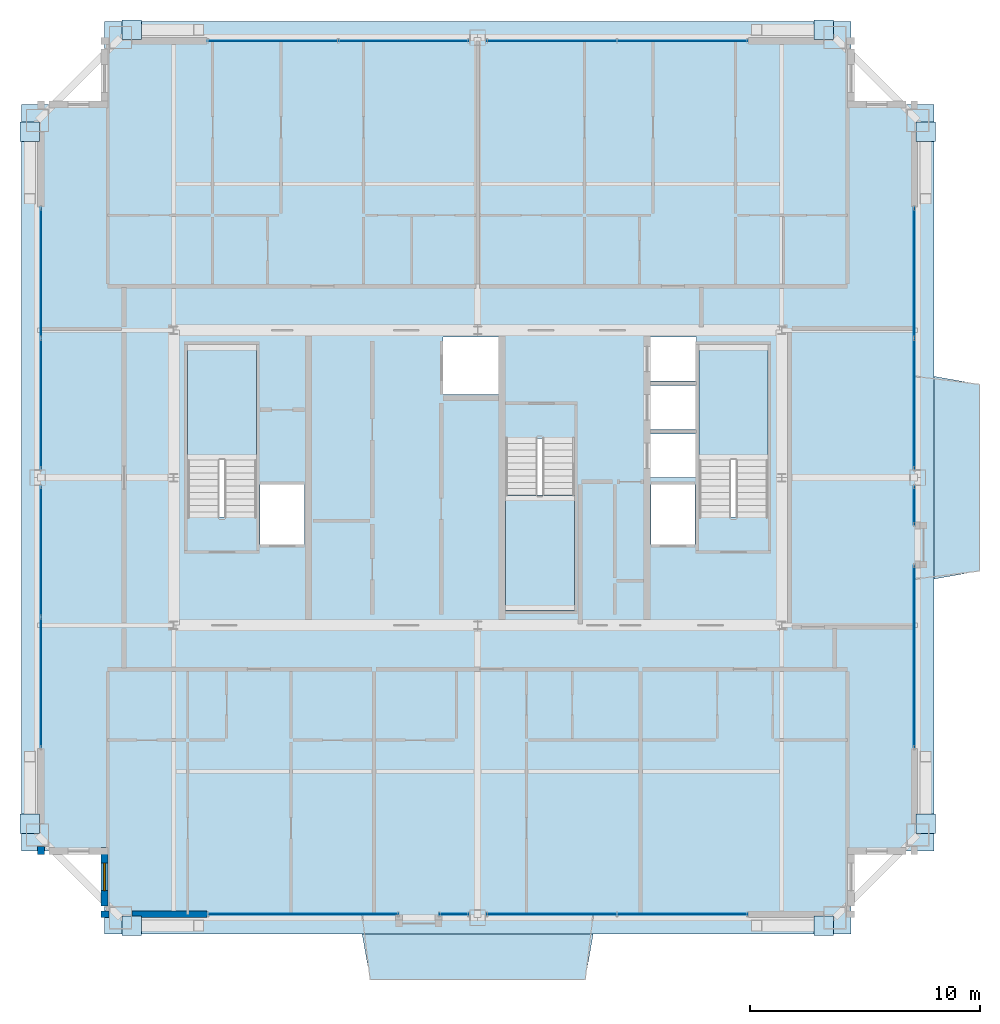
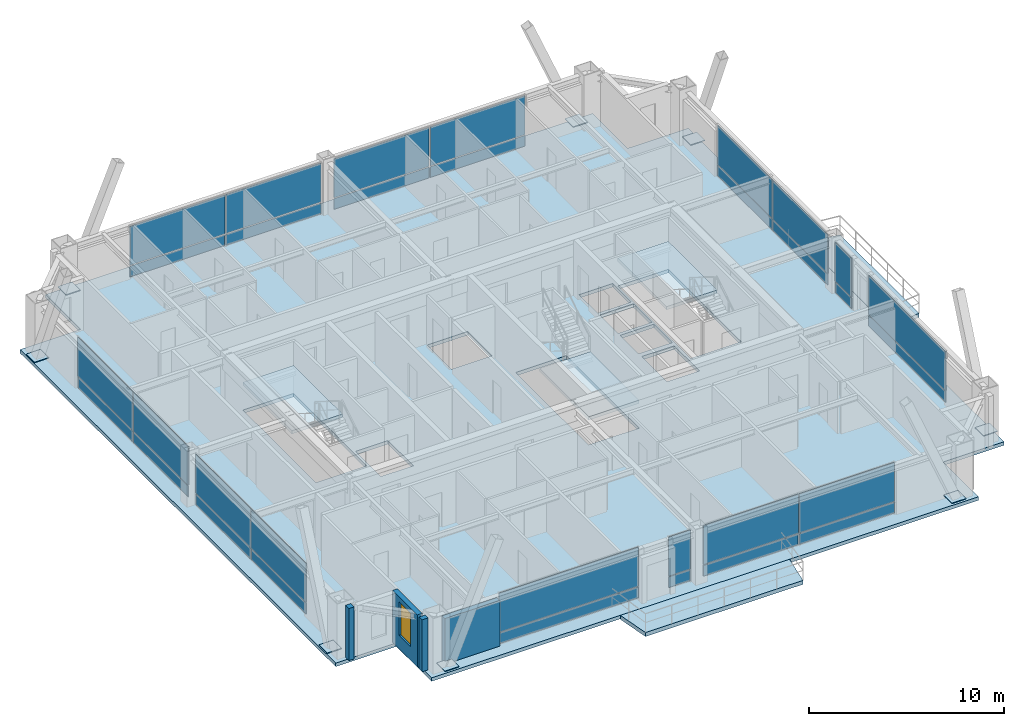
# One storey, part 29 of 35: 40 plates, 6 slabs, 4 walls, 1 window, 1 opening, 13 elements without a shape of their own.
"""IFC4 building model written with IfcOpenShell, lengths in metres."""

from ifc_helpers import new_model, si_unit, direction, frame, frame_2d, origin, origin_2d, place, context, subcontext, project, spatial, polyline, rectangle, outline, extrude, source, transform, mapped, material, layer, layer_set, type_object, element, fill, aggregate, save


model = new_model("IFC4")

# Units and contexts
model_context = context("Model", 3, precision=1e-05, world=origin(), true_north=direction((0.0, 1.0)))
body_context = subcontext(model_context, "Body", "Model", "MODEL_VIEW")
ifc_project = project(units=[si_unit("LENGTHUNIT", "METRE"), si_unit("AREAUNIT", "SQUARE_METRE"), si_unit("VOLUMEUNIT", "CUBIC_METRE"), si_unit("PLANEANGLEUNIT", "RADIAN"), si_unit("MASSUNIT", "GRAM", prefix="KILO"), si_unit("THERMODYNAMICTEMPERATUREUNIT", "KELVIN"), si_unit("POWERUNIT", "WATT")], contexts=[model_context])

# Site, building, storey
site_placement = place(None, origin())
site = spatial("IfcSite", under=ifc_project, at=site_placement, CompositionType="ELEMENT")
building_placement = place(site_placement, origin())
building = spatial("IfcBuilding", under=site, at=building_placement, Name="Yuzanri Waterfront Tower", CompositionType="ELEMENT")
storey_placement = place(building_placement, frame((0.0, 0.0, 335.699951171875)))
storey = spatial("IfcBuildingStorey", under=building, at=storey_placement, Name="L90", CompositionType="ELEMENT", Elevation=335.699951171875)

# Stair, slab
ifc_material_1 = material(Name="Concrete C40", Category="concrete")
stair_type = type_object("IfcStairType", Name="Concrete C40 Core Dogleg Exit Stair", PredefinedType="HALF_TURN_STAIR", material=ifc_material_1)
stair_1_placement = place(storey_placement, origin())
stair_1 = element("IfcStair", 1, at=stair_1_placement, inside=storey, type_object=stair_type, Name="L90 Smoke-Proof Core Stair ST-01", PredefinedType="HALF_TURN_STAIR")
ifc_material_2 = material(Name="Concrete C40", Category="concrete")
ifc_layer_1 = layer(ifc_material_2, 0.179931640625)
ifc_layer_set_1 = layer_set([ifc_layer_1], Name="Concrete C40")
slab_type_1 = type_object("IfcSlabType", Name="Concrete C40 Stair Half-Landing Slab 180", PredefinedType="LANDING", material=ifc_layer_set_1)
slab_1_placement = place(storey_placement, frame((0.0, 0.0, 1.550048828125)))
slab_1 = element("IfcSlab", 2, at=slab_1_placement, type_object=slab_type_1, Name="ST-01 landing 1", PredefinedType="LANDING", context=body_context, shape_type="SweptSolid", body=[
    extrude(outline(polyline([(27.39990234375, 26.56005859375), (27.39990234375, 31.580078125), (24.39990234375, 31.580078125), (24.39990234375, 26.56005859375), (27.39990234375, 26.56005859375)])), origin(), (0.0, 0.0, 1.0), 0.199951171875),
])
aggregate(stair_1, [slab_1])

stair_2_placement = place(storey_placement, origin())
stair_2 = element("IfcStair", 3, at=stair_2_placement, inside=storey, type_object=stair_type, Name="L90 Smoke-Proof Core Stair ST-02", PredefinedType="HALF_TURN_STAIR")
slab_2_placement = place(storey_placement, frame((0.0, 0.0, 1.550048828125)))
slab_2 = element("IfcSlab", 4, at=slab_2_placement, type_object=slab_type_1, Name="ST-02 landing 1", PredefinedType="LANDING", context=body_context, shape_type="SweptSolid", body=[
    extrude(outline(polyline([(49.60009765625, 26.56005859375), (49.60009765625, 31.580078125), (46.60009765625, 31.580078125), (46.60009765625, 26.56005859375), (49.60009765625, 26.56005859375)])), origin(), (0.0, 0.0, 1.0), 0.199951171875),
])
aggregate(stair_2, [slab_2])

stair_3_placement = place(storey_placement, origin())
stair_3 = element("IfcStair", 5, at=stair_3_placement, inside=storey, type_object=stair_type, Name="L90 Smoke-Proof Core Stair ST-03", PredefinedType="HALF_TURN_STAIR")
slab_3_placement = place(storey_placement, frame((0.0, 0.0, 1.550048828125)))
slab_3 = element("IfcSlab", 6, at=slab_3_placement, type_object=slab_type_1, Name="ST-03 landing 1", PredefinedType="LANDING", context=body_context, shape_type="SweptSolid", body=[
    extrude(outline(polyline([(38.199951171875, 25.0400390625), (38.199951171875, 20.02001953125), (41.199951171875, 20.02001953125), (41.199951171875, 25.0400390625), (38.199951171875, 25.0400390625)])), origin(), (0.0, 0.0, 1.0), 0.199951171875),
])
aggregate(stair_3, [slab_3])

# Slabs
ifc_material_3 = material(Name="Concrete C40", Category="concrete")
ifc_layer_2 = layer(ifc_material_3, 0.25)
ifc_layer_set_2 = layer_set([ifc_layer_2], Name="Concrete C40")
slab_type_2 = type_object("IfcSlabType", Name="Concrete C40 Stepped Gorge Pocket Garden Terrace Slab 250", PredefinedType="FLOOR", material=ifc_layer_set_2)
slab_4_placement = place(storey_placement, frame((0.0, 0.0, -0.25)))
element("IfcSlab", 7, at=slab_4_placement, inside=storey, type_object=slab_type_2, Name="L90 S Cantilevered Engawa Terrace Slab", PredefinedType="FLOOR", context=body_context, shape_type="SweptSolid", body=[
    extrude(outline(polyline([(31.98388671875, 6.0), (42.01611328125, 6.0), (41.666015625, 4.02294921875), (32.333984375, 4.02294921875), (31.98388671875, 6.0)])), origin(), (0.0, 0.0, 1.0), 0.25),
])
slab_5_placement = place(storey_placement, frame((0.0, 0.0, -0.25)))
element("IfcSlab", 8, at=slab_5_placement, inside=storey, type_object=slab_type_2, Name="L90 E Cantilevered Engawa Terrace Slab", PredefinedType="FLOOR", context=body_context, shape_type="SweptSolid", body=[
    extrude(outline(polyline([(56.800048828125, 21.39990234375), (58.777099609375, 21.75), (58.777099609375, 29.85009765625), (56.800048828125, 30.199951171875), (56.800048828125, 21.39990234375)])), origin(), (0.0, 0.0, 1.0), 0.25),
])
ifc_material_4 = material(Name="Concrete C40", Category="concrete")
ifc_layer_3 = layer(ifc_material_4, 0.219970703125)
ifc_layer_set_3 = layer_set([ifc_layer_3], Name="Concrete C40")
slab_type_3 = type_object("IfcSlabType", Name="Concrete C40 Tower Typical Structural Floor Slab 220", PredefinedType="FLOOR", material=ifc_layer_set_3)
slab_6_placement = place(storey_placement, frame((0.0, 0.0, -0.219970703125)))
element("IfcSlab", 9, at=slab_6_placement, inside=storey, type_object=slab_type_3, Name="L90 Main Structural Floor Slab", PredefinedType="FLOOR", context=body_context, shape_type="SweptSolid", body=[
    extrude(outline(polyline([(20.800048828125, 6.0), (53.199951171875, 6.0), (53.199951171875, 9.60009765625), (56.800048828125, 9.60009765625), (56.800048828125, 42.0), (53.199951171875, 42.0), (53.199951171875, 45.60009765625), (20.800048828125, 45.60009765625), (20.800048828125, 42.0), (17.199951171875, 42.0), (17.199951171875, 9.60009765625), (20.800048828125, 9.60009765625), (20.800048828125, 6.0)]), holes=[polyline([(27.39990234375, 24.10009765625), (27.39990234375, 31.580078125), (24.39990234375, 31.580078125), (24.39990234375, 24.10009765625), (27.39990234375, 24.10009765625)]), polyline([(49.60009765625, 24.10009765625), (49.60009765625, 31.580078125), (46.60009765625, 31.580078125), (46.60009765625, 24.10009765625), (49.60009765625, 24.10009765625)]), polyline([(38.199951171875, 27.5), (38.199951171875, 20.02001953125), (41.199951171875, 20.02001953125), (41.199951171875, 27.5), (38.199951171875, 27.5)]), polyline([(27.56005859375, 22.89990234375), (29.47998046875, 22.89990234375), (29.47998046875, 25.5), (27.56005859375, 25.5), (27.56005859375, 22.89990234375)]), polyline([(44.52001953125, 22.89990234375), (46.43994140625, 22.89990234375), (46.43994140625, 25.5), (44.52001953125, 25.5), (44.52001953125, 22.89990234375)]), polyline([(35.5, 29.39990234375), (37.89990234375, 29.39990234375), (37.89990234375, 31.89990234375), (35.5, 31.89990234375), (35.5, 29.39990234375)]), polyline([(44.5, 25.800048828125), (46.5, 25.800048828125), (46.5, 27.699951171875), (44.5, 27.699951171875), (44.5, 25.800048828125)]), polyline([(44.5, 27.89990234375), (46.5, 27.89990234375), (46.5, 29.800048828125), (44.5, 29.800048828125), (44.5, 27.89990234375)]), polyline([(44.5, 30.0), (46.5, 30.0), (46.5, 31.89990234375), (44.5, 31.89990234375), (44.5, 30.0)])]), origin(), (0.0, 0.0, 1.0), 0.219970703125),
])

# Plates
ifc_material_5 = material(Name="Steel Q420GJC", Category="steel")
ifc_layer_4 = layer(ifc_material_5, 0.0400390625)
ifc_layer_set_4 = layer_set([ifc_layer_4], Name="Steel Q420GJC")
plate_type_1 = type_object("IfcPlateType", Name="Steel Q420GJC Mega-Brace Gusset and End-Cap Plate 40", PredefinedType="SHEET", material=ifc_layer_set_4)
shared_shape_1 = source(origin(), body_context, "Body", "SweptSolid", [
    extrude(rectangle(XDim=0.85009765625, YDim=0.85009765625, at=origin_2d()), origin(), (0.0, 0.0, 1.0), 0.0400390625),
])
for number, where, z_axis, x_axis, name in (
    (10, (21.97998046875, 6.360107421875, 0.159912109375), (0.0, 0.0, 1.0), (1.0, 0.0, 0.0), "L90 Mega-Brace Foot Cap Plate S-L"),
    (11, (52.02001953125, 6.360107421875, 0.159912109375), (0.0, 0.0, 1.0), (1.0, 0.0, 0.0), "L90 Mega-Brace Foot Cap Plate S-R"),
    (12, (21.97998046875, 45.239990234375, 0.159912109375), (0.0, 0.0, 1.0), (1.0, 0.0, 0.0), "L90 Mega-Brace Foot Cap Plate N-L"),
    (13, (52.02001953125, 45.239990234375, 0.159912109375), (0.0, 0.0, 1.0), (1.0, 0.0, 0.0), "L90 Mega-Brace Foot Cap Plate N-R"),
    (14, (17.56005859375, 10.780029296875, 0.159912109375), (0.0, 0.0, 1.0), (1.0, 0.0, 0.0), "L90 Mega-Brace Foot Cap Plate W-L"),
    (15, (17.56005859375, 40.820068359375, 0.159912109375), (0.0, 0.0, 1.0), (1.0, 0.0, 0.0), "L90 Mega-Brace Foot Cap Plate W-R"),
    (16, (56.43994140625, 10.780029296875, 0.159912109375), (0.0, 0.0, 1.0), (1.0, 0.0, 0.0), "L90 Mega-Brace Foot Cap Plate E-L"),
    (17, (56.43994140625, 40.820068359375, 0.159912109375), (0.0, 0.0, 1.0), (1.0, 0.0, 0.0), "L90 Mega-Brace Foot Cap Plate E-R"),
):
    element("IfcPlate", number, at=place(storey_placement, frame(where, z_axis=z_axis, x_axis=x_axis)), inside=storey, type_object=plate_type_1, Name=name, PredefinedType="SHEET", context=body_context, shape_type="MappedRepresentation", body=[
        mapped(shared_shape_1, transform((0.0, 0.0, 0.0), scale=1.0)),
    ])

# Curtain wall, plates
ifc_material_6 = material(Name="Anodized Architectural Bronze", Category="metal")
ifc_layer_5 = layer(ifc_material_6, 0.159912109375)
ifc_layer_set_5 = layer_set([ifc_layer_5], Name="Anodized Architectural Bronze")
curtain_wall_type = type_object("IfcCurtainWallType", Name="Anodized Bronze High-Rise Penthouse High-Wind Unitized Curtain Wall 6900", PredefinedType="NOTDEFINED", material=ifc_layer_set_5)
curtain_wall_1_placement = place(storey_placement, origin())
curtain_wall_1 = element("IfcCurtainWall", 18, at=curtain_wall_1_placement, inside=storey, type_object=curtain_wall_type, Name="L90 Curtain Wall CW-L90-SL1", PredefinedType="NOTDEFINED")
ifc_material_7 = material(Name="Anodized Architectural Bronze", Category="metal")
ifc_layer_6 = layer(ifc_material_7, 0.028076171875)
ifc_layer_set_6 = layer_set([ifc_layer_6], Name="Anodized Architectural Bronze")
plate_type_2 = type_object("IfcPlateType", Name="Bronze Insulated Spandrel Shadow-Box Panel 28", PredefinedType="CURTAIN_PANEL", material=ifc_layer_set_6)
shared_shape_2 = source(origin(), body_context, "Body", "SweptSolid", [
    extrude(rectangle(XDim=8.261962890625, YDim=0.028076171875, at=origin_2d()), origin(), (0.0, 0.0, 1.0), 0.669921875),
])
plate_1_placement = place(storey_placement, frame((29.4208984375, 6.85009765625, 0.050048828125), z_axis=(0.0, 0.0, 1.0), x_axis=(1.0, 0.0, 0.0)))
plate_1 = element("IfcPlate", 19, at=plate_1_placement, type_object=plate_type_2, Name="CW-L90-SL1 Spandrel Panel 01", PredefinedType="CURTAIN_PANEL", context=body_context, shape_type="MappedRepresentation", body=[
    mapped(shared_shape_2, transform((0.0, 0.0, 0.0), scale=1.0)),
])
ifc_material_8 = material(Name="Triple Low-E Laminated Insulated Glass", Category="glass")
ifc_layer_7 = layer(ifc_material_8, 0.0439453125)
ifc_layer_set_7 = layer_set([ifc_layer_7], Name="Triple Low-E Laminated Insulated Glass")
plate_type_3 = type_object("IfcPlateType", Name="Triple Glazed Acoustic Vision Glass Panel 44", PredefinedType="CURTAIN_PANEL", material=ifc_layer_set_7)
shared_shape_3 = source(origin(), body_context, "Body", "SweptSolid", [
    extrude(rectangle(XDim=8.261962890625, YDim=0.0439453125, at=origin_2d()), origin(), (0.0, 0.0, 1.0), 2.429931640625),
])
plate_2_placement = place(storey_placement, frame((29.4208984375, 6.85009765625, 0.7802734375), z_axis=(0.0, 0.0, 1.0), x_axis=(1.0, 0.0, 0.0)))
plate_2 = element("IfcPlate", 20, at=plate_2_placement, type_object=plate_type_3, Name="CW-L90-SL1 Vision Glass Panel 01", PredefinedType="CURTAIN_PANEL", context=body_context, shape_type="MappedRepresentation", body=[
    mapped(shared_shape_3, transform((0.0, 0.0, 0.0), scale=1.0)),
])
aggregate(curtain_wall_1, [plate_1, plate_2])

curtain_wall_2_placement = place(storey_placement, origin())
curtain_wall_2 = element("IfcCurtainWall", 21, at=curtain_wall_2_placement, inside=storey, type_object=curtain_wall_type, Name="L90 Curtain Wall CW-L90-SL2", PredefinedType="NOTDEFINED")
shared_shape_4 = source(origin(), body_context, "Body", "SweptSolid", [
    extrude(rectangle(XDim=1.278076171875, YDim=0.028076171875, at=origin_2d()), origin(), (0.0, 0.0, 1.0), 0.669921875),
])
plate_3_placement = place(storey_placement, frame((35.970947265625, 6.85009765625, 0.050048828125), z_axis=(0.0, 0.0, 1.0), x_axis=(1.0, 0.0, 0.0)))
plate_3 = element("IfcPlate", 22, at=plate_3_placement, type_object=plate_type_2, Name="CW-L90-SL2 Spandrel Panel 01", PredefinedType="CURTAIN_PANEL", context=body_context, shape_type="MappedRepresentation", body=[
    mapped(shared_shape_4, transform((0.0, 0.0, 0.0), scale=1.0)),
])
shared_shape_5 = source(origin(), body_context, "Body", "SweptSolid", [
    extrude(rectangle(XDim=1.278076171875, YDim=0.0439453125, at=origin_2d()), origin(), (0.0, 0.0, 1.0), 2.429931640625),
])
plate_4_placement = place(storey_placement, frame((35.970947265625, 6.85009765625, 0.7802734375), z_axis=(0.0, 0.0, 1.0), x_axis=(1.0, 0.0, 0.0)))
plate_4 = element("IfcPlate", 23, at=plate_4_placement, type_object=plate_type_3, Name="CW-L90-SL2 Vision Glass Panel 01", PredefinedType="CURTAIN_PANEL", context=body_context, shape_type="MappedRepresentation", body=[
    mapped(shared_shape_5, transform((0.0, 0.0, 0.0), scale=1.0)),
])
aggregate(curtain_wall_2, [plate_3, plate_4])

curtain_wall_3_placement = place(storey_placement, origin())
curtain_wall_3 = element("IfcCurtainWall", 24, at=curtain_wall_3_placement, inside=storey, type_object=curtain_wall_type, Name="L90 Curtain Wall CW-L90-SR", PredefinedType="NOTDEFINED")
shared_shape_6 = source(origin(), body_context, "Body", "SweptSolid", [
    extrude(rectangle(XDim=5.6201171875, YDim=0.028076171875, at=origin_2d()), origin(), (0.0, 0.0, 1.0), 0.669921875),
])
plate_5_placement = place(storey_placement, frame((40.199951171875, 6.85009765625, 0.050048828125), z_axis=(0.0, 0.0, 1.0), x_axis=(1.0, 0.0, 0.0)))
plate_5 = element("IfcPlate", 25, at=plate_5_placement, type_object=plate_type_2, Name="CW-L90-SR Spandrel Panel 01", PredefinedType="CURTAIN_PANEL", context=body_context, shape_type="MappedRepresentation", body=[
    mapped(shared_shape_6, transform((0.0, 0.0, 0.0), scale=1.0)),
])
plate_6_placement = place(storey_placement, frame((45.89990234375, 6.85009765625, 0.050048828125), z_axis=(0.0, 0.0, 1.0), x_axis=(1.0, 0.0, 0.0)))
plate_6 = element("IfcPlate", 26, at=plate_6_placement, type_object=plate_type_2, Name="CW-L90-SR Spandrel Panel 02", PredefinedType="CURTAIN_PANEL", context=body_context, shape_type="MappedRepresentation", body=[
    mapped(shared_shape_6, transform((0.0, 0.0, 0.0), scale=1.0)),
])

curtain_wall_4_placement = place(storey_placement, origin())
curtain_wall_4 = element("IfcCurtainWall", 27, at=curtain_wall_4_placement, inside=storey, type_object=curtain_wall_type, Name="L90 Curtain Wall CW-L90-NL", PredefinedType="NOTDEFINED")
plate_7_placement = place(storey_placement, frame((28.10009765625, 44.75, 0.050048828125), z_axis=(0.0, 0.0, 1.0), x_axis=(1.0, 0.0, 0.0)))
plate_7 = element("IfcPlate", 28, at=plate_7_placement, type_object=plate_type_2, Name="CW-L90-NL Spandrel Panel 01", PredefinedType="CURTAIN_PANEL", context=body_context, shape_type="MappedRepresentation", body=[
    mapped(shared_shape_6, transform((0.0, 0.0, 0.0), scale=1.0)),
])
plate_8_placement = place(storey_placement, frame((33.800048828125, 44.75, 0.050048828125), z_axis=(0.0, 0.0, 1.0), x_axis=(1.0, 0.0, 0.0)))
plate_8 = element("IfcPlate", 29, at=plate_8_placement, type_object=plate_type_2, Name="CW-L90-NL Spandrel Panel 02", PredefinedType="CURTAIN_PANEL", context=body_context, shape_type="MappedRepresentation", body=[
    mapped(shared_shape_6, transform((0.0, 0.0, 0.0), scale=1.0)),
])

curtain_wall_5_placement = place(storey_placement, origin())
curtain_wall_5 = element("IfcCurtainWall", 30, at=curtain_wall_5_placement, inside=storey, type_object=curtain_wall_type, Name="L90 Curtain Wall CW-L90-NR", PredefinedType="NOTDEFINED")
plate_9_placement = place(storey_placement, frame((40.199951171875, 44.75, 0.050048828125), z_axis=(0.0, 0.0, 1.0), x_axis=(1.0, 0.0, 0.0)))
plate_9 = element("IfcPlate", 31, at=plate_9_placement, type_object=plate_type_2, Name="CW-L90-NR Spandrel Panel 01", PredefinedType="CURTAIN_PANEL", context=body_context, shape_type="MappedRepresentation", body=[
    mapped(shared_shape_6, transform((0.0, 0.0, 0.0), scale=1.0)),
])
plate_10_placement = place(storey_placement, frame((45.89990234375, 44.75, 0.050048828125), z_axis=(0.0, 0.0, 1.0), x_axis=(1.0, 0.0, 0.0)))
plate_10 = element("IfcPlate", 32, at=plate_10_placement, type_object=plate_type_2, Name="CW-L90-NR Spandrel Panel 02", PredefinedType="CURTAIN_PANEL", context=body_context, shape_type="MappedRepresentation", body=[
    mapped(shared_shape_6, transform((0.0, 0.0, 0.0), scale=1.0)),
])

curtain_wall_6_placement = place(storey_placement, origin())
curtain_wall_6 = element("IfcCurtainWall", 33, at=curtain_wall_6_placement, inside=storey, type_object=curtain_wall_type, Name="L90 Curtain Wall CW-L90-WL", PredefinedType="NOTDEFINED")
plate_11_placement = place(storey_placement, frame((18.050048828125, 16.89990234375, 0.050048828125), z_axis=(0.0, 0.0, 1.0), x_axis=(0.0, 1.0, 0.0)))
plate_11 = element("IfcPlate", 34, at=plate_11_placement, type_object=plate_type_2, Name="CW-L90-WL Spandrel Panel 01", PredefinedType="CURTAIN_PANEL", context=body_context, shape_type="MappedRepresentation", body=[
    mapped(shared_shape_6, transform((0.0, 0.0, 0.0), scale=1.0)),
])
plate_12_placement = place(storey_placement, frame((18.050048828125, 22.60009765625, 0.050048828125), z_axis=(0.0, 0.0, 1.0), x_axis=(0.0, 1.0, 0.0)))
plate_12 = element("IfcPlate", 35, at=plate_12_placement, type_object=plate_type_2, Name="CW-L90-WL Spandrel Panel 02", PredefinedType="CURTAIN_PANEL", context=body_context, shape_type="MappedRepresentation", body=[
    mapped(shared_shape_6, transform((0.0, 0.0, 0.0), scale=1.0)),
])

curtain_wall_7_placement = place(storey_placement, origin())
curtain_wall_7 = element("IfcCurtainWall", 36, at=curtain_wall_7_placement, inside=storey, type_object=curtain_wall_type, Name="L90 Curtain Wall CW-L90-WR", PredefinedType="NOTDEFINED")
plate_13_placement = place(storey_placement, frame((18.050048828125, 29.0, 0.050048828125), z_axis=(0.0, 0.0, 1.0), x_axis=(0.0, 1.0, 0.0)))
plate_13 = element("IfcPlate", 37, at=plate_13_placement, type_object=plate_type_2, Name="CW-L90-WR Spandrel Panel 01", PredefinedType="CURTAIN_PANEL", context=body_context, shape_type="MappedRepresentation", body=[
    mapped(shared_shape_6, transform((0.0, 0.0, 0.0), scale=1.0)),
])
plate_14_placement = place(storey_placement, frame((18.050048828125, 34.699951171875, 0.050048828125), z_axis=(0.0, 0.0, 1.0), x_axis=(0.0, 1.0, 0.0)))
plate_14 = element("IfcPlate", 38, at=plate_14_placement, type_object=plate_type_2, Name="CW-L90-WR Spandrel Panel 02", PredefinedType="CURTAIN_PANEL", context=body_context, shape_type="MappedRepresentation", body=[
    mapped(shared_shape_6, transform((0.0, 0.0, 0.0), scale=1.0)),
])

curtain_wall_8_placement = place(storey_placement, origin())
curtain_wall_8 = element("IfcCurtainWall", 39, at=curtain_wall_8_placement, inside=storey, type_object=curtain_wall_type, Name="L90 Curtain Wall CW-L90-ER", PredefinedType="NOTDEFINED")
plate_15_placement = place(storey_placement, frame((55.949951171875, 29.0, 0.050048828125), z_axis=(0.0, 0.0, 1.0), x_axis=(0.0, 1.0, 0.0)))
plate_15 = element("IfcPlate", 40, at=plate_15_placement, type_object=plate_type_2, Name="CW-L90-ER Spandrel Panel 01", PredefinedType="CURTAIN_PANEL", context=body_context, shape_type="MappedRepresentation", body=[
    mapped(shared_shape_6, transform((0.0, 0.0, 0.0), scale=1.0)),
])
plate_16_placement = place(storey_placement, frame((55.949951171875, 34.699951171875, 0.050048828125), z_axis=(0.0, 0.0, 1.0), x_axis=(0.0, 1.0, 0.0)))
plate_16 = element("IfcPlate", 41, at=plate_16_placement, type_object=plate_type_2, Name="CW-L90-ER Spandrel Panel 02", PredefinedType="CURTAIN_PANEL", context=body_context, shape_type="MappedRepresentation", body=[
    mapped(shared_shape_6, transform((0.0, 0.0, 0.0), scale=1.0)),
])

# Plate
shared_shape_7 = source(origin(), body_context, "Body", "SweptSolid", [
    extrude(rectangle(XDim=5.6201171875, YDim=0.0439453125, at=origin_2d()), origin(), (0.0, 0.0, 1.0), 2.429931640625),
])
plate_17_placement = place(storey_placement, frame((40.199951171875, 6.85009765625, 0.7802734375), z_axis=(0.0, 0.0, 1.0), x_axis=(1.0, 0.0, 0.0)))
plate_17 = element("IfcPlate", 42, at=plate_17_placement, type_object=plate_type_3, Name="CW-L90-SR Vision Glass Panel 01", PredefinedType="CURTAIN_PANEL", context=body_context, shape_type="MappedRepresentation", body=[
    mapped(shared_shape_7, transform((0.0, 0.0, 0.0), scale=1.0)),
])

plate_18_placement = place(storey_placement, frame((45.89990234375, 6.85009765625, 0.7802734375), z_axis=(0.0, 0.0, 1.0), x_axis=(1.0, 0.0, 0.0)))
plate_18 = element("IfcPlate", 43, at=plate_18_placement, type_object=plate_type_3, Name="CW-L90-SR Vision Glass Panel 02", PredefinedType="CURTAIN_PANEL", context=body_context, shape_type="MappedRepresentation", body=[
    mapped(shared_shape_7, transform((0.0, 0.0, 0.0), scale=1.0)),
])

aggregate(curtain_wall_3, [plate_5, plate_17, plate_6, plate_18])

plate_19_placement = place(storey_placement, frame((28.10009765625, 44.75, 0.7802734375), z_axis=(0.0, 0.0, 1.0), x_axis=(1.0, 0.0, 0.0)))
plate_19 = element("IfcPlate", 44, at=plate_19_placement, type_object=plate_type_3, Name="CW-L90-NL Vision Glass Panel 01", PredefinedType="CURTAIN_PANEL", context=body_context, shape_type="MappedRepresentation", body=[
    mapped(shared_shape_7, transform((0.0, 0.0, 0.0), scale=1.0)),
])

plate_20_placement = place(storey_placement, frame((33.800048828125, 44.75, 0.7802734375), z_axis=(0.0, 0.0, 1.0), x_axis=(1.0, 0.0, 0.0)))
plate_20 = element("IfcPlate", 45, at=plate_20_placement, type_object=plate_type_3, Name="CW-L90-NL Vision Glass Panel 02", PredefinedType="CURTAIN_PANEL", context=body_context, shape_type="MappedRepresentation", body=[
    mapped(shared_shape_7, transform((0.0, 0.0, 0.0), scale=1.0)),
])

aggregate(curtain_wall_4, [plate_7, plate_19, plate_8, plate_20])

plate_21_placement = place(storey_placement, frame((40.199951171875, 44.75, 0.7802734375), z_axis=(0.0, 0.0, 1.0), x_axis=(1.0, 0.0, 0.0)))
plate_21 = element("IfcPlate", 46, at=plate_21_placement, type_object=plate_type_3, Name="CW-L90-NR Vision Glass Panel 01", PredefinedType="CURTAIN_PANEL", context=body_context, shape_type="MappedRepresentation", body=[
    mapped(shared_shape_7, transform((0.0, 0.0, 0.0), scale=1.0)),
])

plate_22_placement = place(storey_placement, frame((45.89990234375, 44.75, 0.7802734375), z_axis=(0.0, 0.0, 1.0), x_axis=(1.0, 0.0, 0.0)))
plate_22 = element("IfcPlate", 47, at=plate_22_placement, type_object=plate_type_3, Name="CW-L90-NR Vision Glass Panel 02", PredefinedType="CURTAIN_PANEL", context=body_context, shape_type="MappedRepresentation", body=[
    mapped(shared_shape_7, transform((0.0, 0.0, 0.0), scale=1.0)),
])

aggregate(curtain_wall_5, [plate_9, plate_21, plate_10, plate_22])

plate_23_placement = place(storey_placement, frame((18.050048828125, 16.89990234375, 0.7802734375), z_axis=(0.0, 0.0, 1.0), x_axis=(0.0, 1.0, 0.0)))
plate_23 = element("IfcPlate", 48, at=plate_23_placement, type_object=plate_type_3, Name="CW-L90-WL Vision Glass Panel 01", PredefinedType="CURTAIN_PANEL", context=body_context, shape_type="MappedRepresentation", body=[
    mapped(shared_shape_7, transform((0.0, 0.0, 0.0), scale=1.0)),
])

plate_24_placement = place(storey_placement, frame((18.050048828125, 22.60009765625, 0.7802734375), z_axis=(0.0, 0.0, 1.0), x_axis=(0.0, 1.0, 0.0)))
plate_24 = element("IfcPlate", 49, at=plate_24_placement, type_object=plate_type_3, Name="CW-L90-WL Vision Glass Panel 02", PredefinedType="CURTAIN_PANEL", context=body_context, shape_type="MappedRepresentation", body=[
    mapped(shared_shape_7, transform((0.0, 0.0, 0.0), scale=1.0)),
])

aggregate(curtain_wall_6, [plate_11, plate_23, plate_12, plate_24])

plate_25_placement = place(storey_placement, frame((18.050048828125, 29.0, 0.7802734375), z_axis=(0.0, 0.0, 1.0), x_axis=(0.0, 1.0, 0.0)))
plate_25 = element("IfcPlate", 50, at=plate_25_placement, type_object=plate_type_3, Name="CW-L90-WR Vision Glass Panel 01", PredefinedType="CURTAIN_PANEL", context=body_context, shape_type="MappedRepresentation", body=[
    mapped(shared_shape_7, transform((0.0, 0.0, 0.0), scale=1.0)),
])

plate_26_placement = place(storey_placement, frame((18.050048828125, 34.699951171875, 0.7802734375), z_axis=(0.0, 0.0, 1.0), x_axis=(0.0, 1.0, 0.0)))
plate_26 = element("IfcPlate", 51, at=plate_26_placement, type_object=plate_type_3, Name="CW-L90-WR Vision Glass Panel 02", PredefinedType="CURTAIN_PANEL", context=body_context, shape_type="MappedRepresentation", body=[
    mapped(shared_shape_7, transform((0.0, 0.0, 0.0), scale=1.0)),
])

aggregate(curtain_wall_7, [plate_13, plate_25, plate_14, plate_26])

plate_27_placement = place(storey_placement, frame((55.949951171875, 29.0, 0.7802734375), z_axis=(0.0, 0.0, 1.0), x_axis=(0.0, 1.0, 0.0)))
plate_27 = element("IfcPlate", 52, at=plate_27_placement, type_object=plate_type_3, Name="CW-L90-ER Vision Glass Panel 01", PredefinedType="CURTAIN_PANEL", context=body_context, shape_type="MappedRepresentation", body=[
    mapped(shared_shape_7, transform((0.0, 0.0, 0.0), scale=1.0)),
])

plate_28_placement = place(storey_placement, frame((55.949951171875, 34.699951171875, 0.7802734375), z_axis=(0.0, 0.0, 1.0), x_axis=(0.0, 1.0, 0.0)))
plate_28 = element("IfcPlate", 53, at=plate_28_placement, type_object=plate_type_3, Name="CW-L90-ER Vision Glass Panel 02", PredefinedType="CURTAIN_PANEL", context=body_context, shape_type="MappedRepresentation", body=[
    mapped(shared_shape_7, transform((0.0, 0.0, 0.0), scale=1.0)),
])

aggregate(curtain_wall_8, [plate_15, plate_27, plate_16, plate_28])

# Curtain wall, plates
curtain_wall_9_placement = place(storey_placement, origin())
curtain_wall_9 = element("IfcCurtainWall", 54, at=curtain_wall_9_placement, inside=storey, type_object=curtain_wall_type, Name="L90 Curtain Wall CW-L90-EL1", PredefinedType="NOTDEFINED")
shared_shape_8 = source(origin(), body_context, "Body", "SweptSolid", [
    extrude(rectangle(XDim=7.89501953125, YDim=0.028076171875, at=origin_2d()), origin(), (0.0, 0.0, 1.0), 0.669921875),
])
plate_29_placement = place(storey_placement, frame((55.949951171875, 18.03759765625, 0.050048828125), z_axis=(0.0, 0.0, 1.0), x_axis=(0.0, 1.0, 0.0)))
plate_29 = element("IfcPlate", 55, at=plate_29_placement, type_object=plate_type_2, Name="CW-L90-EL1 Spandrel Panel 01", PredefinedType="CURTAIN_PANEL", context=body_context, shape_type="MappedRepresentation", body=[
    mapped(shared_shape_8, transform((0.0, 0.0, 0.0), scale=1.0)),
])
shared_shape_9 = source(origin(), body_context, "Body", "SweptSolid", [
    extrude(rectangle(XDim=7.89501953125, YDim=0.0439453125, at=origin_2d()), origin(), (0.0, 0.0, 1.0), 2.429931640625),
])
plate_30_placement = place(storey_placement, frame((55.949951171875, 18.03759765625, 0.7802734375), z_axis=(0.0, 0.0, 1.0), x_axis=(0.0, 1.0, 0.0)))
plate_30 = element("IfcPlate", 56, at=plate_30_placement, type_object=plate_type_3, Name="CW-L90-EL1 Vision Glass Panel 01", PredefinedType="CURTAIN_PANEL", context=body_context, shape_type="MappedRepresentation", body=[
    mapped(shared_shape_9, transform((0.0, 0.0, 0.0), scale=1.0)),
])
aggregate(curtain_wall_9, [plate_29, plate_30])

curtain_wall_10_placement = place(storey_placement, origin())
curtain_wall_10 = element("IfcCurtainWall", 57, at=curtain_wall_10_placement, inside=storey, type_object=curtain_wall_type, Name="L90 Curtain Wall CW-L90-EL2", PredefinedType="NOTDEFINED")
shared_shape_10 = source(origin(), body_context, "Body", "SweptSolid", [
    extrude(rectangle(XDim=1.64501953125, YDim=0.028076171875, at=origin_2d()), origin(), (0.0, 0.0, 1.0), 0.669921875),
])
plate_31_placement = place(storey_placement, frame((55.949951171875, 24.58740234375, 0.050048828125), z_axis=(0.0, 0.0, 1.0), x_axis=(0.0, 1.0, 0.0)))
plate_31 = element("IfcPlate", 58, at=plate_31_placement, type_object=plate_type_2, Name="CW-L90-EL2 Spandrel Panel 01", PredefinedType="CURTAIN_PANEL", context=body_context, shape_type="MappedRepresentation", body=[
    mapped(shared_shape_10, transform((0.0, 0.0, 0.0), scale=1.0)),
])
shared_shape_11 = source(origin(), body_context, "Body", "SweptSolid", [
    extrude(rectangle(XDim=1.64501953125, YDim=0.0439453125, at=origin_2d()), origin(), (0.0, 0.0, 1.0), 2.429931640625),
])
plate_32_placement = place(storey_placement, frame((55.949951171875, 24.58740234375, 0.7802734375), z_axis=(0.0, 0.0, 1.0), x_axis=(0.0, 1.0, 0.0)))
plate_32 = element("IfcPlate", 59, at=plate_32_placement, type_object=plate_type_3, Name="CW-L90-EL2 Vision Glass Panel 01", PredefinedType="CURTAIN_PANEL", context=body_context, shape_type="MappedRepresentation", body=[
    mapped(shared_shape_11, transform((0.0, 0.0, 0.0), scale=1.0)),
])
aggregate(curtain_wall_10, [plate_31, plate_32])

# Wall, opening, window
ifc_material_9 = material(Name="Honed Chongqing Dark Basalt Stone", Category="masonry")
ifc_layer_8 = layer(ifc_material_9, 0.300048828125)
ifc_layer_set_8 = layer_set([ifc_layer_8], Name="Honed Chongqing Dark Basalt Stone")
wall_type = type_object("IfcWallType", Name="Bronze Rainscreen Insulated Spandrel Portal Wall 300", PredefinedType="SOLIDWALL", material=ifc_layer_set_8)
wall_1_placement = place(storey_placement, frame((20.800048828125, 9.75, 0.0), z_axis=(0.0, 0.0, 1.0), x_axis=(0.0, -1.0, 0.0)))
wall_1 = element("IfcWall", 60, at=wall_1_placement, inside=storey, type_object=wall_type, Name="L90 Notched Corner Masonry Wall SW-Y", PredefinedType="SOLIDWALL", context=body_context, shape_type="SweptSolid", body=[
    extrude(rectangle(XDim=2.550048828125, YDim=0.300048828125, at=frame_2d((1.27490234375, 0.0))), origin(), (0.0, 0.0, 1.0), 3.260009765625),
])
opening_placement = place(wall_1_placement, frame((0.675048828125, 0.0, 0.85009765625)))
opening = element("IfcOpeningElement", 61, at=opening_placement, cuts=wall_1, Name="Opening WN-02", PredefinedType="OPENING", context=body_context, shape_type="SweptSolid", body=[
    extrude(rectangle(XDim=1.199951171875, YDim=2.10009765625, at=frame_2d((0.60009765625, 1.050048828125))), frame((0.0, 0.1650390625, 0.0), z_axis=(0.0, -1.0, 0.0), x_axis=(1.0, 0.0, 0.0)), (0.0, 0.0, 1.0), 0.329833984375),
])
ifc_material_10 = material(Name="Double-Silver Low-E Insulated Glass", Category="glass")
window_type = type_object("IfcWindowType", Name="Anodized Bronze Notched Corner Deep-Set Slot Window 1200x2100", PartitioningType="SINGLE_PANEL", PredefinedType="WINDOW", material=ifc_material_10)
shared_shape_12 = source(origin(), body_context, "Body", "SweptSolid", [
    extrude(rectangle(XDim=1.199951171875, YDim=2.10009765625, at=frame_2d((0.60009765625, 1.050048828125))), frame((0.0, 0.030029296875, 0.0), z_axis=(0.0, -1.0, 0.0), x_axis=(1.0, 0.0, 0.0)), (0.0, 0.0, 1.0), 0.06005859375),
])
window_placement = place(opening_placement, origin())
window = element("IfcWindow", 62, at=window_placement, inside=storey, type_object=window_type, Name="L90 Notched Corner Window SW-Y", OverallHeight=2.10009765625, OverallWidth=1.199951171875, PartitioningType="SINGLE_PANEL", PredefinedType="WINDOW", context=body_context, shape_type="MappedRepresentation", body=[
    mapped(shared_shape_12, transform((0.0, 0.0, 0.0), scale=1.0)),
])
fill(opening, window)

# Walls
shared_shape_13 = source(origin(), body_context, "Body", "SweptSolid", [
    extrude(rectangle(XDim=0.35009765625, YDim=0.300048828125, at=frame_2d((0.175048828125, 0.0))), origin(), (0.0, 0.0, 1.0), 3.260009765625),
])
for number, where, z_axis, x_axis, name in (
    (63, (20.64990234375, 6.85009765625, 0.0), (0.0, 0.0, 1.0), (1.0, 0.0, 0.0), "L90 Corner Column Shoulder Return CSW"),
    (64, (18.050048828125, 9.449951171875, 0.0), (0.0, 0.0, 1.0), (0.0, 1.0, 0.0), "L90 Corner Column Shoulder Return CWS"),
):
    element("IfcWall", number, at=place(storey_placement, frame(where, z_axis=z_axis, x_axis=x_axis)), inside=storey, type_object=wall_type, Name=name, PredefinedType="SOLIDWALL", context=body_context, shape_type="MappedRepresentation", body=[
        mapped(shared_shape_13, transform((0.0, 0.0, 0.0), scale=1.0)),
    ])
shared_shape_14 = source(origin(), body_context, "Body", "SweptSolid", [
    extrude(rectangle(XDim=3.25, YDim=0.300048828125, at=frame_2d((1.625, 0.0))), origin(), (0.0, 0.0, 1.0), 2.864990234375),
])
wall_2_placement = place(storey_placement, frame((22.0, 6.85009765625, 0.0), z_axis=(0.0, 0.0, 1.0), x_axis=(1.0, 0.0, 0.0)))
element("IfcWall", 65, at=wall_2_placement, inside=storey, type_object=wall_type, Name="L90 S Left Braced Masonry Shoulder", PredefinedType="SOLIDWALL", context=body_context, shape_type="MappedRepresentation", body=[
    mapped(shared_shape_14, transform((0.0, 0.0, 0.0), scale=1.0)),
])

save(model, "model.ifc")
